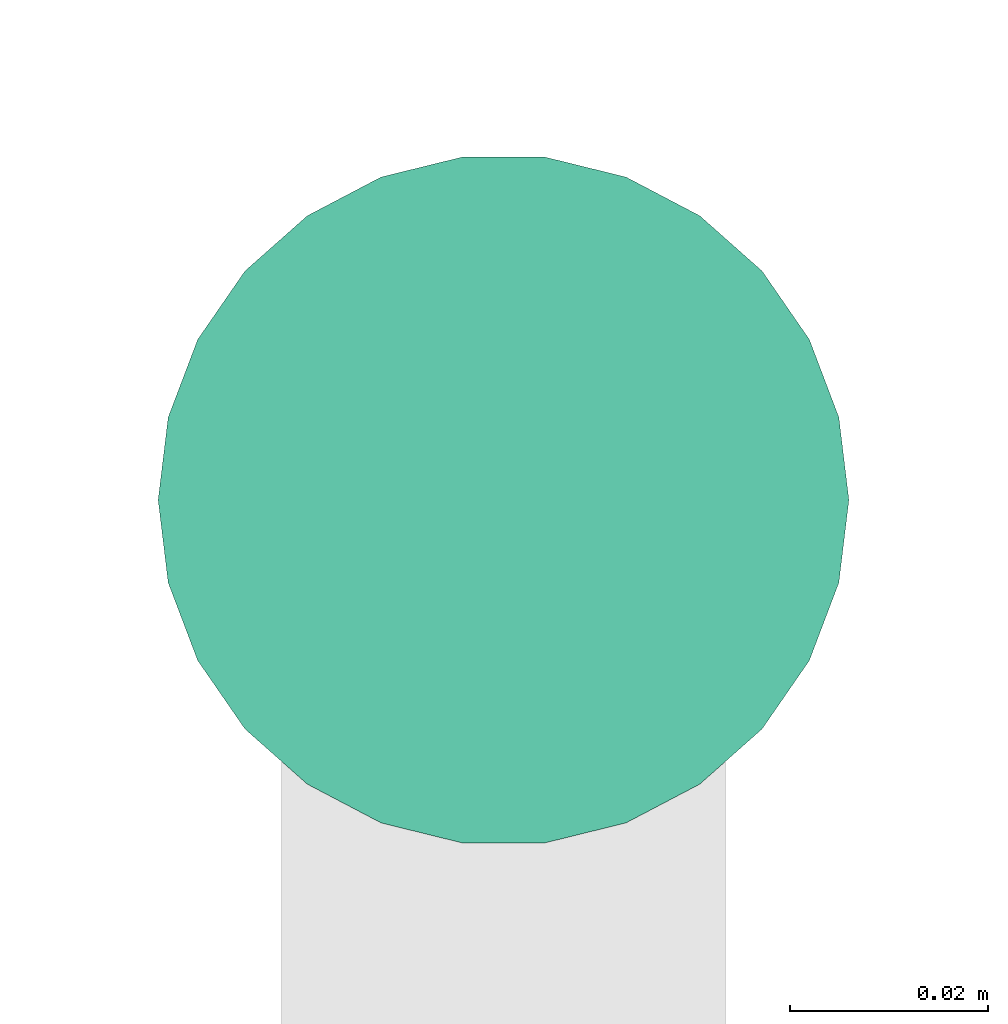
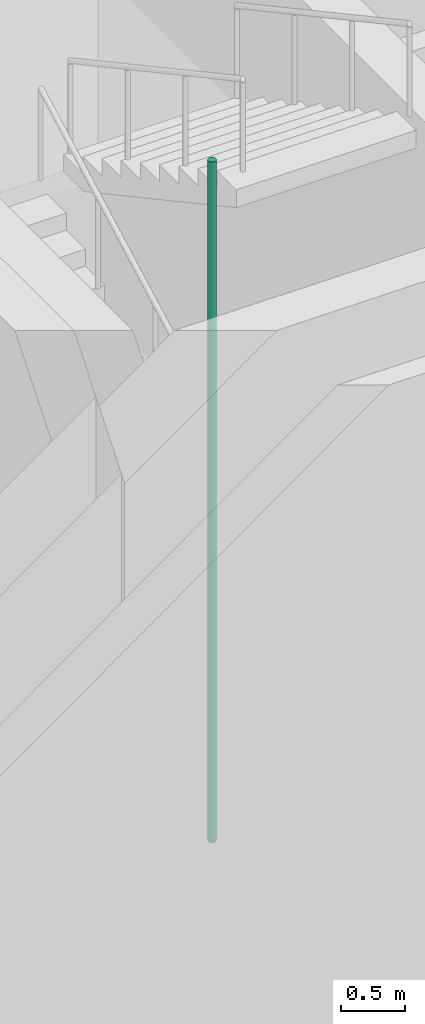
# One storey, part 33 of 45: 1 pipe segment.
"""IFC4 building model written with IfcOpenShell, lengths in metres."""

from ifc_helpers import new_model, si_unit, direction, frame, origin, origin_2d, place, context, subcontext, project, spatial, circle, extrude, element, save


model = new_model("IFC4")

# Units and contexts
model_context = context("Model", 3, precision=1e-05, world=origin(), true_north=direction((0.0, 1.0)))
body_context = subcontext(model_context, "Body", "Model", "MODEL_VIEW")
ifc_project = project(units=[si_unit("LENGTHUNIT", "METRE"), si_unit("AREAUNIT", "SQUARE_METRE"), si_unit("VOLUMEUNIT", "CUBIC_METRE"), si_unit("PLANEANGLEUNIT", "RADIAN"), si_unit("MASSUNIT", "GRAM", prefix="KILO")], contexts=[model_context])

# Site, building, storey
site_placement = place(None, origin())
site = spatial("IfcSite", under=ifc_project, at=site_placement, CompositionType="ELEMENT")
building_placement = place(site_placement, origin())
building = spatial("IfcBuilding", under=site, at=building_placement, Name="Nzadi Deep Aquarium and Research Tower", CompositionType="ELEMENT")
storey_placement = place(building_placement, origin())
storey = spatial("IfcBuildingStorey", under=building, at=storey_placement, Name="G", CompositionType="ELEMENT", Elevation=0.0)

# Pipe segment
pipe_segment_placement = place(storey_placement, frame((25.10009765625, 13.719970703125, 0.0), z_axis=(0.0, 0.0, 1.0), x_axis=(1.0, 0.0, 0.0)))
element("IfcPipeSegment", 1, at=pipe_segment_placement, inside=storey, Name="Dry riser ST-Z1-SE G", PredefinedType="RIGIDSEGMENT", context=body_context, shape_type="SweptSolid", body=[
    extrude(circle(Radius=0.034912109375, at=origin_2d()), origin(), (0.0, 0.0, 1.0), 6.5),
])

save(model, "model.ifc")
